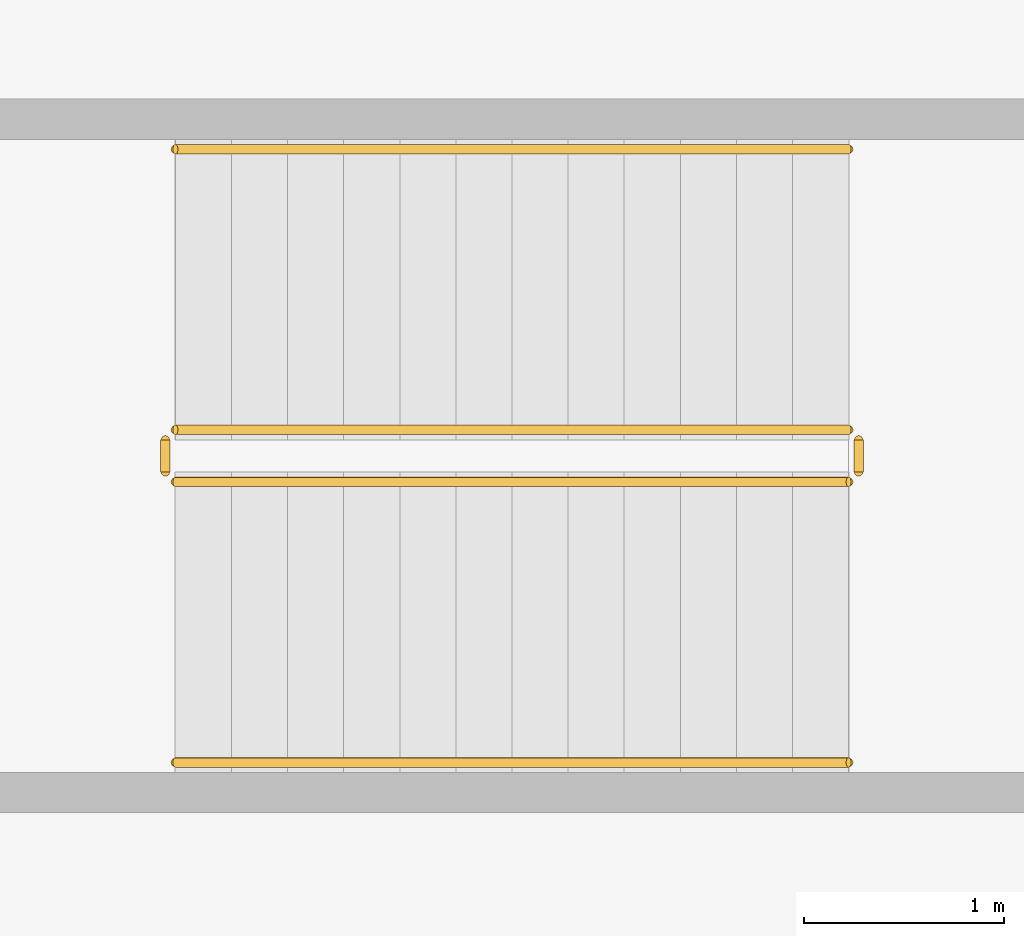
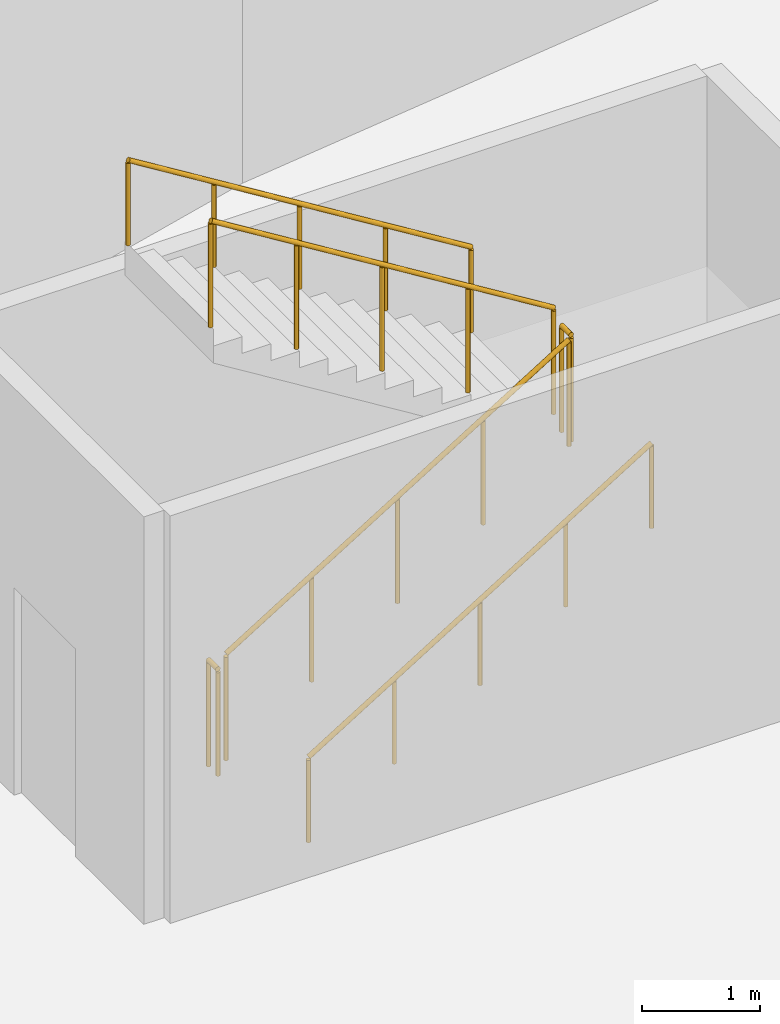
# One storey, part 8 of 10: 6 railings.
"""IFC4 building model written with IfcOpenShell, lengths in metres."""

from ifc_helpers import new_model, si_unit, direction, frame, origin, origin_2d, place, context, subcontext, project, spatial, circle, extrude, material, type_object, element, save


model = new_model("IFC4")

# Units and contexts
model_context = context("Model", 3, precision=1e-05, world=origin(), true_north=direction((0.0, 1.0)))
body_context = subcontext(model_context, "Body", "Model", "MODEL_VIEW")
ifc_project = project(units=[si_unit("LENGTHUNIT", "METRE"), si_unit("AREAUNIT", "SQUARE_METRE"), si_unit("VOLUMEUNIT", "CUBIC_METRE"), si_unit("PLANEANGLEUNIT", "RADIAN"), si_unit("MASSUNIT", "GRAM", prefix="KILO"), si_unit("THERMODYNAMICTEMPERATUREUNIT", "KELVIN")], contexts=[model_context])

# Site, building, storey
site_placement = place(None, origin())
site = spatial("IfcSite", under=ifc_project, at=site_placement, CompositionType="ELEMENT")
building_placement = place(site_placement, origin())
building = spatial("IfcBuilding", under=site, at=building_placement, Name="Kethvar Cultural Tower", CompositionType="ELEMENT")
storey_placement = place(building_placement, frame((0.0, 0.0, -9.0)))
storey = spatial("IfcBuildingStorey", under=building, at=storey_placement, Name="B02", CompositionType="ELEMENT", Elevation=-9.0)

# Railings
ifc_material = material(Name="Steel S355J2", Category="steel")
railing_type_1 = type_object("IfcRailingType", Name="RL-STAIR-GUARD", PredefinedType="BALUSTRADE", material=ifc_material)
railing_1_placement = place(storey_placement, frame((19.5, 46.2900390625, 0.173095703125)))
element("IfcRailing", 1, at=railing_1_placement, inside=storey, type_object=railing_type_1, Name="B02 ST-05 stair guard 1", PredefinedType="BALUSTRADE", context=body_context, shape_type="SweptSolid", body=[
    extrude(circle(Radius=0.02392578125, at=origin_2d()), frame((0.0, 0.0, 1.09619140625), z_axis=(0.850623216509, 0.0, 0.525775754039), x_axis=(0.0, 1.0, 0.0)), (0.0, 0.0, 1.0), 3.9501953125),
    extrude(circle(Radius=0.02099609375, at=origin_2d()), origin(), (0.0, 0.0, 1.0), 1.072021484375),
    extrude(circle(Radius=0.02099609375, at=origin_2d()), frame((0.840087890625, 0.0, 0.519287109375)), (0.0, 0.0, 1.0), 1.072021484375),
    extrude(circle(Radius=0.02099609375, at=origin_2d()), frame((1.68017578125, 0.0, 1.03857421875)), (0.0, 0.0, 1.0), 1.072021484375),
    extrude(circle(Radius=0.02099609375, at=origin_2d()), frame((2.52001953125, 0.0, 1.5576171875)), (0.0, 0.0, 1.0), 1.072021484375),
    extrude(circle(Radius=0.02099609375, at=origin_2d()), frame((3.360107421875, 0.0, 2.076904296875)), (0.0, 0.0, 1.0), 1.072021484375),
])
railing_2_placement = place(storey_placement, frame((22.909912109375, 46.340087890625, 2.25)))
element("IfcRailing", 2, at=railing_2_placement, inside=storey, type_object=railing_type_1, Name="B02 ST-05 stair guard 2", PredefinedType="BALUSTRADE", context=body_context, shape_type="SweptSolid", body=[
    extrude(circle(Radius=0.02392578125, at=origin_2d()), frame((0.0, 0.0, 1.09619140625), z_axis=(0.0, 1.0, 0.0), x_axis=(-1.0, 0.0, 0.0)), (0.0, 0.0, 1.0), 0.159912109375),
    extrude(circle(Radius=0.02099609375, at=origin_2d()), origin(), (0.0, 0.0, 1.0), 1.072021484375),
    extrude(circle(Radius=0.02099609375, at=origin_2d()), frame((0.0, 0.159912109375, 0.0)), (0.0, 0.0, 1.0), 1.072021484375),
])
railing_3_placement = place(storey_placement, frame((22.860107421875, 46.550048828125, 2.423095703125)))
element("IfcRailing", 3, at=railing_3_placement, inside=storey, type_object=railing_type_1, Name="B02 ST-05 stair guard 3", PredefinedType="BALUSTRADE", context=body_context, shape_type="SweptSolid", body=[
    extrude(circle(Radius=0.02392578125, at=origin_2d()), frame((0.0, 0.0, 1.09619140625), z_axis=(-0.850623216509, 0.0, 0.525775754039), x_axis=(0.0, -1.0, 0.0)), (0.0, 0.0, 1.0), 3.9501953125),
    extrude(circle(Radius=0.02099609375, at=origin_2d()), origin(), (0.0, 0.0, 1.0), 1.072021484375),
    extrude(circle(Radius=0.02099609375, at=origin_2d()), frame((-0.840087890625, 0.0, 0.519287109375)), (0.0, 0.0, 1.0), 1.072021484375),
    extrude(circle(Radius=0.02099609375, at=origin_2d()), frame((-1.68017578125, 0.0, 1.03857421875)), (0.0, 0.0, 1.0), 1.072021484375),
    extrude(circle(Radius=0.02099609375, at=origin_2d()), frame((-2.52001953125, 0.0, 1.5576171875)), (0.0, 0.0, 1.0), 1.072021484375),
    extrude(circle(Radius=0.02099609375, at=origin_2d()), frame((-3.360107421875, 0.0, 2.076904296875)), (0.0, 0.0, 1.0), 1.072021484375),
])
railing_4_placement = place(storey_placement, frame((19.449951171875, 46.340087890625, 0.0)))
element("IfcRailing", 4, at=railing_4_placement, inside=storey, type_object=railing_type_1, Name="B02 ST-05 stair guard 4", PredefinedType="BALUSTRADE", context=body_context, shape_type="SweptSolid", body=[
    extrude(circle(Radius=0.02392578125, at=origin_2d()), frame((0.0, 0.0, 1.09619140625), z_axis=(0.0, 1.0, 0.0), x_axis=(-1.0, 0.0, 0.0)), (0.0, 0.0, 1.0), 0.159912109375),
    extrude(circle(Radius=0.02099609375, at=origin_2d()), origin(), (0.0, 0.0, 1.0), 1.072021484375),
    extrude(circle(Radius=0.02099609375, at=origin_2d()), frame((0.0, 0.159912109375, 0.0)), (0.0, 0.0, 1.0), 1.072021484375),
])
railing_type_2 = type_object("IfcRailingType", Name="RL-STAIR-HANDRAIL", PredefinedType="HANDRAIL", material=ifc_material)
railing_5_placement = place(storey_placement, frame((19.5, 44.889892578125, 0.173095703125)))
element("IfcRailing", 5, at=railing_5_placement, inside=storey, type_object=railing_type_2, Name="B02 ST-05 stair handrail 1", PredefinedType="HANDRAIL", context=body_context, shape_type="SweptSolid", body=[
    extrude(circle(Radius=0.02392578125, at=origin_2d()), frame((0.0, 0.0, 0.8759765625), z_axis=(0.850623216509, 0.0, 0.525775754039), x_axis=(0.0, 1.0, 0.0)), (0.0, 0.0, 1.0), 3.9501953125),
    extrude(circle(Radius=0.02099609375, at=origin_2d()), origin(), (0.0, 0.0, 1.0), 0.851806640625),
    extrude(circle(Radius=0.02099609375, at=origin_2d()), frame((0.840087890625, 0.0, 0.519287109375)), (0.0, 0.0, 1.0), 0.851806640625),
    extrude(circle(Radius=0.02099609375, at=origin_2d()), frame((1.68017578125, 0.0, 1.03857421875)), (0.0, 0.0, 1.0), 0.851806640625),
    extrude(circle(Radius=0.02099609375, at=origin_2d()), frame((2.52001953125, 0.0, 1.5576171875)), (0.0, 0.0, 1.0), 0.851806640625),
    extrude(circle(Radius=0.02099609375, at=origin_2d()), frame((3.360107421875, 0.0, 2.076904296875)), (0.0, 0.0, 1.0), 0.851806640625),
])
railing_6_placement = place(storey_placement, frame((22.860107421875, 47.949951171875, 2.423095703125)))
element("IfcRailing", 6, at=railing_6_placement, inside=storey, type_object=railing_type_2, Name="B02 ST-05 stair handrail 2", PredefinedType="HANDRAIL", context=body_context, shape_type="SweptSolid", body=[
    extrude(circle(Radius=0.02392578125, at=origin_2d()), frame((0.0, 0.0, 0.8759765625), z_axis=(-0.850623216509, 0.0, 0.525775754039), x_axis=(0.0, -1.0, 0.0)), (0.0, 0.0, 1.0), 3.9501953125),
    extrude(circle(Radius=0.02099609375, at=origin_2d()), origin(), (0.0, 0.0, 1.0), 0.851806640625),
    extrude(circle(Radius=0.02099609375, at=origin_2d()), frame((-0.840087890625, 0.0, 0.519287109375)), (0.0, 0.0, 1.0), 0.851806640625),
    extrude(circle(Radius=0.02099609375, at=origin_2d()), frame((-1.68017578125, 0.0, 1.03857421875)), (0.0, 0.0, 1.0), 0.851806640625),
    extrude(circle(Radius=0.02099609375, at=origin_2d()), frame((-2.52001953125, 0.0, 1.5576171875)), (0.0, 0.0, 1.0), 0.851806640625),
    extrude(circle(Radius=0.02099609375, at=origin_2d()), frame((-3.360107421875, 0.0, 2.076904296875)), (0.0, 0.0, 1.0), 0.851806640625),
])

save(model, "model.ifc")
